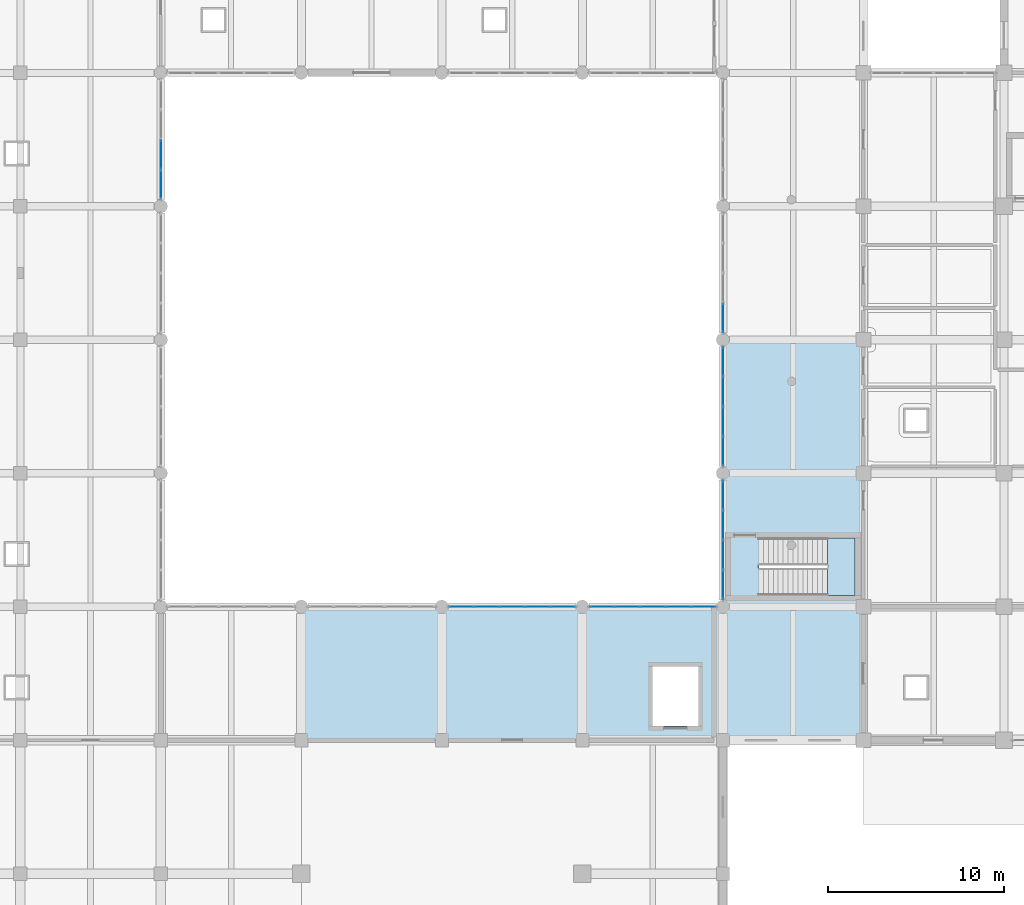
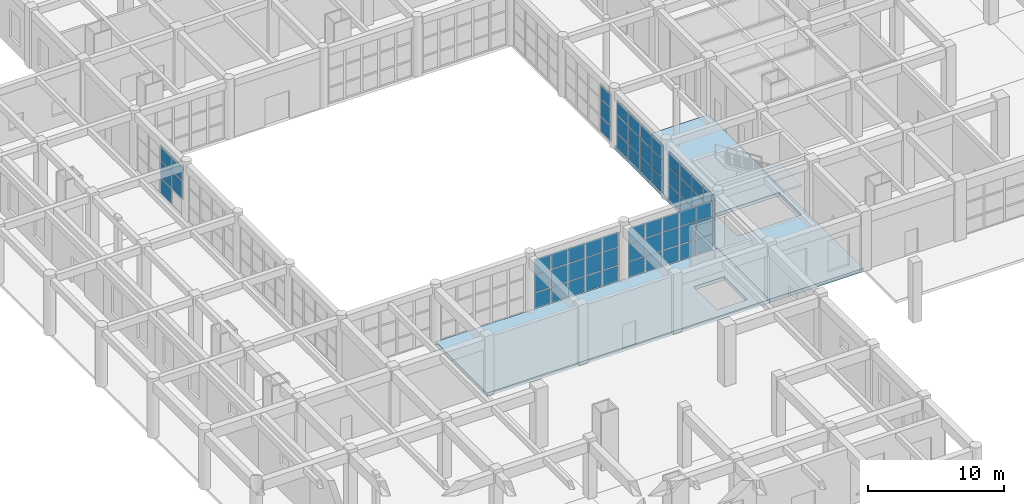
# One storey, part 59 of 95: 62 plates, 3 slabs, 7 elements without a shape of their own.
"""IFC4 building model written with IfcOpenShell, lengths in metres."""

from ifc_helpers import new_model, si_unit, direction, frame, origin, origin_2d, place, context, subcontext, project, spatial, polyline, rectangle, outline, extrude, material, layer, layer_set, type_object, element, aggregate, save


model = new_model("IFC4")

# Units and contexts
model_context = context("Model", 3, precision=1e-05, world=origin(), true_north=direction((0.0, 1.0)))
body_context = subcontext(model_context, "Body", "Model", "MODEL_VIEW")
ifc_project = project(units=[si_unit("LENGTHUNIT", "METRE"), si_unit("AREAUNIT", "SQUARE_METRE"), si_unit("VOLUMEUNIT", "CUBIC_METRE"), si_unit("PLANEANGLEUNIT", "RADIAN"), si_unit("MASSUNIT", "GRAM", prefix="KILO")], contexts=[model_context])

# Site, building, storey
site_placement = place(None, origin())
site = spatial("IfcSite", under=ifc_project, at=site_placement, CompositionType="ELEMENT")
building_placement = place(site_placement, origin())
building = spatial("IfcBuilding", under=site, at=building_placement, Name="Zantavel Square City Hall", CompositionType="ELEMENT")
storey_placement = place(building_placement, origin())
storey = spatial("IfcBuildingStorey", under=building, at=storey_placement, Name="L01", CompositionType="ELEMENT", Elevation=0.0)

# Slab
ifc_material_1 = material(Name="Concrete C40/50", Category="concrete")
ifc_layer_1 = layer(ifc_material_1, 0.320068359375, Name="Concrete C40/50")
ifc_layer_set_1 = layer_set([ifc_layer_1], Name="Concrete C40/50")
slab_type_1 = type_object("IfcSlabType", Name="Archive Vault Heavy Slab 320mm C40/50", PredefinedType="FLOOR", material=ifc_layer_set_1)
slab_1_placement = place(storey_placement, frame((0.0, 0.0, -0.320068359375)))
element("IfcSlab", 1, at=slab_1_placement, inside=storey, type_object=slab_type_1, Name="L01 Floor Slab SLB-L01-V3S-06", PredefinedType="FLOOR", context=body_context, shape_type="SweptSolid", body=[
    extrude(outline(polyline([(48.0, 30.39990234375), (24.0, 30.39990234375), (24.0, 38.0), (48.0, 38.0), (48.0, 30.39990234375)]), holes=[polyline([(46.60009765625, 34.60009765625), (44.0, 34.60009765625), (44.0, 31.199951171875), (46.60009765625, 31.199951171875), (46.60009765625, 34.60009765625)])]), origin(), (0.0, 0.0, 1.0), 0.320068359375),
])

# Stair, slab
ifc_material_2 = material(Name="Concrete C35/45", Category="concrete")
stair_type = type_object("IfcStairType", Name="Enclosed Core Dogleg Stair L01 H5400", PredefinedType="HALF_TURN_STAIR", material=ifc_material_2)
stair_placement = place(storey_placement, origin())
stair = element("IfcStair", 2, at=stair_placement, inside=storey, type_object=stair_type, Name="L01 Exit Stair 3 West Pavilion Core", PredefinedType="HALF_TURN_STAIR")
ifc_layer_2 = layer(ifc_material_2, 0.2099609375, Name="Concrete C35/45")
ifc_layer_set_2 = layer_set([ifc_layer_2], Name="Concrete C35/45")
slab_type_2 = type_object("IfcSlabType", Name="Core Stair Half-Landing Slab C35/45", PredefinedType="LANDING", material=ifc_layer_set_2)
slab_2_placement = place(storey_placement, frame((0.0, 0.0, 2.5)))
slab_2 = element("IfcSlab", 3, at=slab_2_placement, type_object=slab_type_2, Name="ST3 landing 1", PredefinedType="LANDING", context=body_context, shape_type="SweptSolid", body=[
    extrude(outline(polyline([(53.949951171875, 38.64990234375), (55.530029296875, 38.64990234375), (55.530029296875, 41.919921875), (53.949951171875, 41.919921875), (53.949951171875, 38.64990234375)])), origin(), (0.0, 0.0, 1.0), 0.199951171875),
])
aggregate(stair, [slab_2])

# Slab
ifc_layer_3 = layer(ifc_material_2, 0.300048828125, Name="Concrete C35/45")
ifc_layer_set_3 = layer_set([ifc_layer_3], Name="Concrete C35/45")
slab_type_3 = type_object("IfcSlabType", Name="Ground Civic Floor Slab 300mm C35/45", PredefinedType="FLOOR", material=ifc_layer_set_3)
slab_3_placement = place(storey_placement, frame((0.0, 0.0, -0.300048828125)))
element("IfcSlab", 4, at=slab_3_placement, inside=storey, type_object=slab_type_3, Name="L01 Floor Slab SLB-L01-V3E-01", PredefinedType="FLOOR", context=body_context, shape_type="SweptSolid", body=[
    extrude(outline(polyline([(48.0, 30.39990234375), (48.0, 38.0), (48.0, 53.199951171875), (56.0, 53.199951171875), (56.0, 45.60009765625), (56.0, 30.39990234375), (48.0, 30.39990234375)]), holes=[polyline([(55.530029296875, 41.919921875), (50.050048828125, 41.919921875), (50.050048828125, 38.64990234375), (55.530029296875, 38.64990234375), (55.530029296875, 41.919921875)])]), origin(), (0.0, 0.0, 1.0), 0.300048828125),
])

# Curtain wall, plates
ifc_material_3 = material(Name="Anodised aluminium 6063-T6", Category="aluminium")
curtain_wall_type_1 = type_object("IfcCurtainWallType", Name="Curtain Wall CRT 7250x4510", PredefinedType="USERDEFINED", material=ifc_material_3)
curtain_wall_1_placement = place(storey_placement, origin())
curtain_wall_1 = element("IfcCurtainWall", 5, at=curtain_wall_1_placement, inside=storey, type_object=curtain_wall_type_1, Name="L01 Glazed Curtain Wall CW-L01-012", ObjectType="GLAZED CURTAIN WALL", PredefinedType="USERDEFINED")
ifc_material_4 = material(Name="Tempered safety glass low-E double glazing", Category="glass")
ifc_layer_4 = layer(ifc_material_4, 0.028076171875, Name="Tempered safety glass low-E double glazing")
ifc_layer_set_4 = layer_set([ifc_layer_4], Name="Tempered safety glass low-E double glazing")
plate_type_1 = type_object("IfcPlateType", Name="Low-E Curtain Glazing Panel 1450x1503x28", PredefinedType="CURTAIN_PANEL", material=ifc_layer_set_4)
plate_1_placement = place(storey_placement, frame((33.114990234375, 38.0, 0.06005859375), z_axis=(0.0, 0.0, 1.0), x_axis=(1.0, 0.0, 0.0)))
plate_1 = element("IfcPlate", 6, at=plate_1_placement, type_object=plate_type_1, Name="CW-012 panel 1.1", PredefinedType="CURTAIN_PANEL", context=body_context, shape_type="SweptSolid", body=[
    extrude(rectangle(XDim=1.360107421875, YDim=0.028076171875, at=origin_2d()), origin(), (0.0, 0.0, 1.0), 1.35302734375),
])
plate_2_placement = place(storey_placement, frame((33.114990234375, 38.0, 1.472900390625), z_axis=(0.0, 0.0, 1.0), x_axis=(1.0, 0.0, 0.0)))
plate_2 = element("IfcPlate", 7, at=plate_2_placement, type_object=plate_type_1, Name="CW-012 panel 1.2", PredefinedType="CURTAIN_PANEL", context=body_context, shape_type="SweptSolid", body=[
    extrude(rectangle(XDim=1.360107421875, YDim=0.028076171875, at=origin_2d()), origin(), (0.0, 0.0, 1.0), 1.56396484375),
])
plate_3_placement = place(storey_placement, frame((33.114990234375, 38.0, 3.096923828125), z_axis=(0.0, 0.0, 1.0), x_axis=(1.0, 0.0, 0.0)))
plate_3 = element("IfcPlate", 8, at=plate_3_placement, type_object=plate_type_1, Name="CW-012 panel 1.3", PredefinedType="CURTAIN_PANEL", context=body_context, shape_type="SweptSolid", body=[
    extrude(rectangle(XDim=1.360107421875, YDim=0.028076171875, at=origin_2d()), origin(), (0.0, 0.0, 1.0), 1.35302734375),
])
plate_4_placement = place(storey_placement, frame((34.550048828125, 38.0, 0.06005859375), z_axis=(0.0, 0.0, 1.0), x_axis=(1.0, 0.0, 0.0)))
plate_4 = element("IfcPlate", 9, at=plate_4_placement, type_object=plate_type_1, Name="CW-012 panel 2.1", PredefinedType="CURTAIN_PANEL", context=body_context, shape_type="SweptSolid", body=[
    extrude(rectangle(XDim=1.389892578125, YDim=0.028076171875, at=origin_2d()), origin(), (0.0, 0.0, 1.0), 1.35302734375),
])
plate_5_placement = place(storey_placement, frame((34.550048828125, 38.0, 1.472900390625), z_axis=(0.0, 0.0, 1.0), x_axis=(1.0, 0.0, 0.0)))
plate_5 = element("IfcPlate", 10, at=plate_5_placement, type_object=plate_type_1, Name="CW-012 panel 2.2", PredefinedType="CURTAIN_PANEL", context=body_context, shape_type="SweptSolid", body=[
    extrude(rectangle(XDim=1.389892578125, YDim=0.028076171875, at=origin_2d()), origin(), (0.0, 0.0, 1.0), 1.56396484375),
])
plate_6_placement = place(storey_placement, frame((34.550048828125, 38.0, 3.096923828125), z_axis=(0.0, 0.0, 1.0), x_axis=(1.0, 0.0, 0.0)))
plate_6 = element("IfcPlate", 11, at=plate_6_placement, type_object=plate_type_1, Name="CW-012 panel 2.3", PredefinedType="CURTAIN_PANEL", context=body_context, shape_type="SweptSolid", body=[
    extrude(rectangle(XDim=1.389892578125, YDim=0.028076171875, at=origin_2d()), origin(), (0.0, 0.0, 1.0), 1.35302734375),
])
plate_7_placement = place(storey_placement, frame((36.0, 38.0, 0.06005859375), z_axis=(0.0, 0.0, 1.0), x_axis=(1.0, 0.0, 0.0)))
plate_7 = element("IfcPlate", 12, at=plate_7_placement, type_object=plate_type_1, Name="CW-012 panel 3.1", PredefinedType="CURTAIN_PANEL", context=body_context, shape_type="SweptSolid", body=[
    extrude(rectangle(XDim=1.389892578125, YDim=0.028076171875, at=origin_2d()), origin(), (0.0, 0.0, 1.0), 1.35302734375),
])
plate_8_placement = place(storey_placement, frame((36.0, 38.0, 1.472900390625), z_axis=(0.0, 0.0, 1.0), x_axis=(1.0, 0.0, 0.0)))
plate_8 = element("IfcPlate", 13, at=plate_8_placement, type_object=plate_type_1, Name="CW-012 panel 3.2", PredefinedType="CURTAIN_PANEL", context=body_context, shape_type="SweptSolid", body=[
    extrude(rectangle(XDim=1.389892578125, YDim=0.028076171875, at=origin_2d()), origin(), (0.0, 0.0, 1.0), 1.56396484375),
])
plate_9_placement = place(storey_placement, frame((36.0, 38.0, 3.096923828125), z_axis=(0.0, 0.0, 1.0), x_axis=(1.0, 0.0, 0.0)))
plate_9 = element("IfcPlate", 14, at=plate_9_placement, type_object=plate_type_1, Name="CW-012 panel 3.3", PredefinedType="CURTAIN_PANEL", context=body_context, shape_type="SweptSolid", body=[
    extrude(rectangle(XDim=1.389892578125, YDim=0.028076171875, at=origin_2d()), origin(), (0.0, 0.0, 1.0), 1.35302734375),
])
plate_10_placement = place(storey_placement, frame((37.449951171875, 38.0, 0.06005859375), z_axis=(0.0, 0.0, 1.0), x_axis=(1.0, 0.0, 0.0)))
plate_10 = element("IfcPlate", 15, at=plate_10_placement, type_object=plate_type_1, Name="CW-012 panel 4.1", PredefinedType="CURTAIN_PANEL", context=body_context, shape_type="SweptSolid", body=[
    extrude(rectangle(XDim=1.389892578125, YDim=0.028076171875, at=origin_2d()), origin(), (0.0, 0.0, 1.0), 1.35302734375),
])
plate_11_placement = place(storey_placement, frame((37.449951171875, 38.0, 1.472900390625), z_axis=(0.0, 0.0, 1.0), x_axis=(1.0, 0.0, 0.0)))
plate_11 = element("IfcPlate", 16, at=plate_11_placement, type_object=plate_type_1, Name="CW-012 panel 4.2", PredefinedType="CURTAIN_PANEL", context=body_context, shape_type="SweptSolid", body=[
    extrude(rectangle(XDim=1.389892578125, YDim=0.028076171875, at=origin_2d()), origin(), (0.0, 0.0, 1.0), 1.56396484375),
])
plate_12_placement = place(storey_placement, frame((37.449951171875, 38.0, 3.096923828125), z_axis=(0.0, 0.0, 1.0), x_axis=(1.0, 0.0, 0.0)))
plate_12 = element("IfcPlate", 17, at=plate_12_placement, type_object=plate_type_1, Name="CW-012 panel 4.3", PredefinedType="CURTAIN_PANEL", context=body_context, shape_type="SweptSolid", body=[
    extrude(rectangle(XDim=1.389892578125, YDim=0.028076171875, at=origin_2d()), origin(), (0.0, 0.0, 1.0), 1.35302734375),
])
plate_13_placement = place(storey_placement, frame((38.885009765625, 38.0, 0.06005859375), z_axis=(0.0, 0.0, 1.0), x_axis=(1.0, 0.0, 0.0)))
plate_13 = element("IfcPlate", 18, at=plate_13_placement, type_object=plate_type_1, Name="CW-012 panel 5.1", PredefinedType="CURTAIN_PANEL", context=body_context, shape_type="SweptSolid", body=[
    extrude(rectangle(XDim=1.360107421875, YDim=0.028076171875, at=origin_2d()), origin(), (0.0, 0.0, 1.0), 1.35302734375),
])
plate_14_placement = place(storey_placement, frame((38.885009765625, 38.0, 1.472900390625), z_axis=(0.0, 0.0, 1.0), x_axis=(1.0, 0.0, 0.0)))
plate_14 = element("IfcPlate", 19, at=plate_14_placement, type_object=plate_type_1, Name="CW-012 panel 5.2", PredefinedType="CURTAIN_PANEL", context=body_context, shape_type="SweptSolid", body=[
    extrude(rectangle(XDim=1.360107421875, YDim=0.028076171875, at=origin_2d()), origin(), (0.0, 0.0, 1.0), 1.56396484375),
])
plate_15_placement = place(storey_placement, frame((38.885009765625, 38.0, 3.096923828125), z_axis=(0.0, 0.0, 1.0), x_axis=(1.0, 0.0, 0.0)))
plate_15 = element("IfcPlate", 20, at=plate_15_placement, type_object=plate_type_1, Name="CW-012 panel 5.3", PredefinedType="CURTAIN_PANEL", context=body_context, shape_type="SweptSolid", body=[
    extrude(rectangle(XDim=1.360107421875, YDim=0.028076171875, at=origin_2d()), origin(), (0.0, 0.0, 1.0), 1.35302734375),
])
aggregate(curtain_wall_1, [plate_1, plate_2, plate_3, plate_4, plate_5, plate_6, plate_7, plate_8, plate_9, plate_10, plate_11, plate_12, plate_13, plate_14, plate_15])

curtain_wall_2_placement = place(storey_placement, origin())
curtain_wall_2 = element("IfcCurtainWall", 21, at=curtain_wall_2_placement, inside=storey, type_object=curtain_wall_type_1, Name="L01 Glazed Curtain Wall CW-L01-013", ObjectType="GLAZED CURTAIN WALL", PredefinedType="USERDEFINED")
plate_16_placement = place(storey_placement, frame((41.114990234375, 38.0, 0.06005859375), z_axis=(0.0, 0.0, 1.0), x_axis=(1.0, 0.0, 0.0)))
plate_16 = element("IfcPlate", 22, at=plate_16_placement, type_object=plate_type_1, Name="CW-013 panel 1.1", PredefinedType="CURTAIN_PANEL", context=body_context, shape_type="SweptSolid", body=[
    extrude(rectangle(XDim=1.360107421875, YDim=0.028076171875, at=origin_2d()), origin(), (0.0, 0.0, 1.0), 1.35302734375),
])
plate_17_placement = place(storey_placement, frame((41.114990234375, 38.0, 1.472900390625), z_axis=(0.0, 0.0, 1.0), x_axis=(1.0, 0.0, 0.0)))
plate_17 = element("IfcPlate", 23, at=plate_17_placement, type_object=plate_type_1, Name="CW-013 panel 1.2", PredefinedType="CURTAIN_PANEL", context=body_context, shape_type="SweptSolid", body=[
    extrude(rectangle(XDim=1.360107421875, YDim=0.028076171875, at=origin_2d()), origin(), (0.0, 0.0, 1.0), 1.56396484375),
])
plate_18_placement = place(storey_placement, frame((41.114990234375, 38.0, 3.096923828125), z_axis=(0.0, 0.0, 1.0), x_axis=(1.0, 0.0, 0.0)))
plate_18 = element("IfcPlate", 24, at=plate_18_placement, type_object=plate_type_1, Name="CW-013 panel 1.3", PredefinedType="CURTAIN_PANEL", context=body_context, shape_type="SweptSolid", body=[
    extrude(rectangle(XDim=1.360107421875, YDim=0.028076171875, at=origin_2d()), origin(), (0.0, 0.0, 1.0), 1.35302734375),
])
plate_19_placement = place(storey_placement, frame((42.550048828125, 38.0, 0.06005859375), z_axis=(0.0, 0.0, 1.0), x_axis=(1.0, 0.0, 0.0)))
plate_19 = element("IfcPlate", 25, at=plate_19_placement, type_object=plate_type_1, Name="CW-013 panel 2.1", PredefinedType="CURTAIN_PANEL", context=body_context, shape_type="SweptSolid", body=[
    extrude(rectangle(XDim=1.389892578125, YDim=0.028076171875, at=origin_2d()), origin(), (0.0, 0.0, 1.0), 1.35302734375),
])
plate_20_placement = place(storey_placement, frame((42.550048828125, 38.0, 1.472900390625), z_axis=(0.0, 0.0, 1.0), x_axis=(1.0, 0.0, 0.0)))
plate_20 = element("IfcPlate", 26, at=plate_20_placement, type_object=plate_type_1, Name="CW-013 panel 2.2", PredefinedType="CURTAIN_PANEL", context=body_context, shape_type="SweptSolid", body=[
    extrude(rectangle(XDim=1.389892578125, YDim=0.028076171875, at=origin_2d()), origin(), (0.0, 0.0, 1.0), 1.56396484375),
])
plate_21_placement = place(storey_placement, frame((42.550048828125, 38.0, 3.096923828125), z_axis=(0.0, 0.0, 1.0), x_axis=(1.0, 0.0, 0.0)))
plate_21 = element("IfcPlate", 27, at=plate_21_placement, type_object=plate_type_1, Name="CW-013 panel 2.3", PredefinedType="CURTAIN_PANEL", context=body_context, shape_type="SweptSolid", body=[
    extrude(rectangle(XDim=1.389892578125, YDim=0.028076171875, at=origin_2d()), origin(), (0.0, 0.0, 1.0), 1.35302734375),
])
plate_22_placement = place(storey_placement, frame((44.0, 38.0, 0.06005859375), z_axis=(0.0, 0.0, 1.0), x_axis=(1.0, 0.0, 0.0)))
plate_22 = element("IfcPlate", 28, at=plate_22_placement, type_object=plate_type_1, Name="CW-013 panel 3.1", PredefinedType="CURTAIN_PANEL", context=body_context, shape_type="SweptSolid", body=[
    extrude(rectangle(XDim=1.389892578125, YDim=0.028076171875, at=origin_2d()), origin(), (0.0, 0.0, 1.0), 1.35302734375),
])
plate_23_placement = place(storey_placement, frame((44.0, 38.0, 1.472900390625), z_axis=(0.0, 0.0, 1.0), x_axis=(1.0, 0.0, 0.0)))
plate_23 = element("IfcPlate", 29, at=plate_23_placement, type_object=plate_type_1, Name="CW-013 panel 3.2", PredefinedType="CURTAIN_PANEL", context=body_context, shape_type="SweptSolid", body=[
    extrude(rectangle(XDim=1.389892578125, YDim=0.028076171875, at=origin_2d()), origin(), (0.0, 0.0, 1.0), 1.56396484375),
])
plate_24_placement = place(storey_placement, frame((44.0, 38.0, 3.096923828125), z_axis=(0.0, 0.0, 1.0), x_axis=(1.0, 0.0, 0.0)))
plate_24 = element("IfcPlate", 30, at=plate_24_placement, type_object=plate_type_1, Name="CW-013 panel 3.3", PredefinedType="CURTAIN_PANEL", context=body_context, shape_type="SweptSolid", body=[
    extrude(rectangle(XDim=1.389892578125, YDim=0.028076171875, at=origin_2d()), origin(), (0.0, 0.0, 1.0), 1.35302734375),
])
plate_25_placement = place(storey_placement, frame((45.449951171875, 38.0, 0.06005859375), z_axis=(0.0, 0.0, 1.0), x_axis=(1.0, 0.0, 0.0)))
plate_25 = element("IfcPlate", 31, at=plate_25_placement, type_object=plate_type_1, Name="CW-013 panel 4.1", PredefinedType="CURTAIN_PANEL", context=body_context, shape_type="SweptSolid", body=[
    extrude(rectangle(XDim=1.389892578125, YDim=0.028076171875, at=origin_2d()), origin(), (0.0, 0.0, 1.0), 1.35302734375),
])
plate_26_placement = place(storey_placement, frame((45.449951171875, 38.0, 1.472900390625), z_axis=(0.0, 0.0, 1.0), x_axis=(1.0, 0.0, 0.0)))
plate_26 = element("IfcPlate", 32, at=plate_26_placement, type_object=plate_type_1, Name="CW-013 panel 4.2", PredefinedType="CURTAIN_PANEL", context=body_context, shape_type="SweptSolid", body=[
    extrude(rectangle(XDim=1.389892578125, YDim=0.028076171875, at=origin_2d()), origin(), (0.0, 0.0, 1.0), 1.56396484375),
])
plate_27_placement = place(storey_placement, frame((45.449951171875, 38.0, 3.096923828125), z_axis=(0.0, 0.0, 1.0), x_axis=(1.0, 0.0, 0.0)))
plate_27 = element("IfcPlate", 33, at=plate_27_placement, type_object=plate_type_1, Name="CW-013 panel 4.3", PredefinedType="CURTAIN_PANEL", context=body_context, shape_type="SweptSolid", body=[
    extrude(rectangle(XDim=1.389892578125, YDim=0.028076171875, at=origin_2d()), origin(), (0.0, 0.0, 1.0), 1.35302734375),
])
plate_28_placement = place(storey_placement, frame((46.885009765625, 38.0, 0.06005859375), z_axis=(0.0, 0.0, 1.0), x_axis=(1.0, 0.0, 0.0)))
plate_28 = element("IfcPlate", 34, at=plate_28_placement, type_object=plate_type_1, Name="CW-013 panel 5.1", PredefinedType="CURTAIN_PANEL", context=body_context, shape_type="SweptSolid", body=[
    extrude(rectangle(XDim=1.360107421875, YDim=0.028076171875, at=origin_2d()), origin(), (0.0, 0.0, 1.0), 1.35302734375),
])
plate_29_placement = place(storey_placement, frame((46.885009765625, 38.0, 1.472900390625), z_axis=(0.0, 0.0, 1.0), x_axis=(1.0, 0.0, 0.0)))
plate_29 = element("IfcPlate", 35, at=plate_29_placement, type_object=plate_type_1, Name="CW-013 panel 5.2", PredefinedType="CURTAIN_PANEL", context=body_context, shape_type="SweptSolid", body=[
    extrude(rectangle(XDim=1.360107421875, YDim=0.028076171875, at=origin_2d()), origin(), (0.0, 0.0, 1.0), 1.56396484375),
])
plate_30_placement = place(storey_placement, frame((46.885009765625, 38.0, 3.096923828125), z_axis=(0.0, 0.0, 1.0), x_axis=(1.0, 0.0, 0.0)))
plate_30 = element("IfcPlate", 36, at=plate_30_placement, type_object=plate_type_1, Name="CW-013 panel 5.3", PredefinedType="CURTAIN_PANEL", context=body_context, shape_type="SweptSolid", body=[
    extrude(rectangle(XDim=1.360107421875, YDim=0.028076171875, at=origin_2d()), origin(), (0.0, 0.0, 1.0), 1.35302734375),
])
aggregate(curtain_wall_2, [plate_16, plate_17, plate_18, plate_19, plate_20, plate_21, plate_22, plate_23, plate_24, plate_25, plate_26, plate_27, plate_28, plate_29, plate_30])

curtain_wall_type_2 = type_object("IfcCurtainWallType", Name="Curtain Wall CRT 6850x4460", PredefinedType="USERDEFINED", material=ifc_material_3)
curtain_wall_3_placement = place(storey_placement, origin())
curtain_wall_3 = element("IfcCurtainWall", 37, at=curtain_wall_3_placement, inside=storey, type_object=curtain_wall_type_2, Name="L01 Glazed Curtain Wall CW-L01-016", ObjectType="GLAZED CURTAIN WALL", PredefinedType="USERDEFINED")
ifc_layer_5 = layer(ifc_material_4, 0.028076171875, Name="Tempered safety glass low-E double glazing")
ifc_layer_set_5 = layer_set([ifc_layer_5], Name="Tempered safety glass low-E double glazing")
plate_type_2 = type_object("IfcPlateType", Name="Low-E Curtain Glazing Panel 1712x1487x28", PredefinedType="CURTAIN_PANEL", material=ifc_layer_set_5)
plate_31_placement = place(storey_placement, frame((48.0, 54.4462890625, 0.06005859375), z_axis=(0.0, 0.0, 1.0), x_axis=(0.0, 1.0, 0.0)))
plate_31 = element("IfcPlate", 38, at=plate_31_placement, type_object=plate_type_2, Name="CW-016 panel 1.1", PredefinedType="CURTAIN_PANEL", context=body_context, shape_type="SweptSolid", body=[
    extrude(rectangle(XDim=1.62255859375, YDim=0.028076171875, at=origin_2d()), origin(), (0.0, 0.0, 1.0), 1.3369140625),
])
plate_32_placement = place(storey_placement, frame((48.0, 54.4462890625, 1.45703125), z_axis=(0.0, 0.0, 1.0), x_axis=(0.0, 1.0, 0.0)))
plate_32 = element("IfcPlate", 39, at=plate_32_placement, type_object=plate_type_2, Name="CW-016 panel 1.2", PredefinedType="CURTAIN_PANEL", context=body_context, shape_type="SweptSolid", body=[
    extrude(rectangle(XDim=1.62255859375, YDim=0.028076171875, at=origin_2d()), origin(), (0.0, 0.0, 1.0), 1.5458984375),
])
plate_33_placement = place(storey_placement, frame((48.0, 54.4462890625, 3.06298828125), z_axis=(0.0, 0.0, 1.0), x_axis=(0.0, 1.0, 0.0)))
plate_33 = element("IfcPlate", 40, at=plate_33_placement, type_object=plate_type_2, Name="CW-016 panel 1.3", PredefinedType="CURTAIN_PANEL", context=body_context, shape_type="SweptSolid", body=[
    extrude(rectangle(XDim=1.62255859375, YDim=0.028076171875, at=origin_2d()), origin(), (0.0, 0.0, 1.0), 1.3369140625),
])
aggregate(curtain_wall_3, [plate_31, plate_32, plate_33])

curtain_wall_4_placement = place(storey_placement, origin())
curtain_wall_4 = element("IfcCurtainWall", 41, at=curtain_wall_4_placement, inside=storey, type_object=curtain_wall_type_2, Name="L01 Glazed Curtain Wall CW-L01-006", ObjectType="GLAZED CURTAIN WALL", PredefinedType="USERDEFINED")
ifc_layer_6 = layer(ifc_material_4, 0.028076171875, Name="Tempered safety glass low-E double glazing")
ifc_layer_set_6 = layer_set([ifc_layer_6], Name="Tempered safety glass low-E double glazing")
plate_type_3 = type_object("IfcPlateType", Name="Low-E Curtain Glazing Panel 1713x1487x28", PredefinedType="CURTAIN_PANEL", material=ifc_layer_set_6)
plate_34_placement = place(storey_placement, frame((16.0, 63.74365234375, 0.06005859375), z_axis=(0.0, 0.0, 1.0), x_axis=(0.0, -1.0, 0.0)))
plate_34 = element("IfcPlate", 42, at=plate_34_placement, type_object=plate_type_3, Name="CW-006 panel 3.1", PredefinedType="CURTAIN_PANEL", context=body_context, shape_type="SweptSolid", body=[
    extrude(rectangle(XDim=1.652587890625, YDim=0.028076171875, at=origin_2d()), origin(), (0.0, 0.0, 1.0), 1.3369140625),
])
plate_35_placement = place(storey_placement, frame((16.0, 63.74365234375, 1.45703125), z_axis=(0.0, 0.0, 1.0), x_axis=(0.0, -1.0, 0.0)))
plate_35 = element("IfcPlate", 43, at=plate_35_placement, type_object=plate_type_3, Name="CW-006 panel 3.2", PredefinedType="CURTAIN_PANEL", context=body_context, shape_type="SweptSolid", body=[
    extrude(rectangle(XDim=1.652587890625, YDim=0.028076171875, at=origin_2d()), origin(), (0.0, 0.0, 1.0), 1.5458984375),
])
plate_36_placement = place(storey_placement, frame((16.0, 63.74365234375, 3.06298828125), z_axis=(0.0, 0.0, 1.0), x_axis=(0.0, -1.0, 0.0)))
plate_36 = element("IfcPlate", 44, at=plate_36_placement, type_object=plate_type_3, Name="CW-006 panel 3.3", PredefinedType="CURTAIN_PANEL", context=body_context, shape_type="SweptSolid", body=[
    extrude(rectangle(XDim=1.652587890625, YDim=0.028076171875, at=origin_2d()), origin(), (0.0, 0.0, 1.0), 1.3369140625),
])
plate_37_placement = place(storey_placement, frame((16.0, 62.046142578125, 1.45703125), z_axis=(0.0, 0.0, 1.0), x_axis=(0.0, -1.0, 0.0)))
plate_37 = element("IfcPlate", 45, at=plate_37_placement, type_object=plate_type_3, Name="CW-006 panel 4.2", PredefinedType="CURTAIN_PANEL", context=body_context, shape_type="SweptSolid", body=[
    extrude(rectangle(XDim=1.62255859375, YDim=0.028076171875, at=origin_2d()), origin(), (0.0, 0.0, 1.0), 1.5458984375),
])
plate_38_placement = place(storey_placement, frame((16.0, 62.046142578125, 3.06298828125), z_axis=(0.0, 0.0, 1.0), x_axis=(0.0, -1.0, 0.0)))
plate_38 = element("IfcPlate", 46, at=plate_38_placement, type_object=plate_type_3, Name="CW-006 panel 4.3", PredefinedType="CURTAIN_PANEL", context=body_context, shape_type="SweptSolid", body=[
    extrude(rectangle(XDim=1.62255859375, YDim=0.028076171875, at=origin_2d()), origin(), (0.0, 0.0, 1.0), 1.3369140625),
])
aggregate(curtain_wall_4, [plate_34, plate_35, plate_36, plate_37, plate_38])

curtain_wall_5_placement = place(storey_placement, origin())
curtain_wall_5 = element("IfcCurtainWall", 47, at=curtain_wall_5_placement, inside=storey, type_object=curtain_wall_type_2, Name="L01 Glazed Curtain Wall CW-L01-014", ObjectType="GLAZED CURTAIN WALL", PredefinedType="USERDEFINED")
plate_39_placement = place(storey_placement, frame((48.0, 39.246337890625, 0.06005859375), z_axis=(0.0, 0.0, 1.0), x_axis=(0.0, 1.0, 0.0)))
plate_39 = element("IfcPlate", 48, at=plate_39_placement, type_object=plate_type_3, Name="CW-014 panel 1.1", PredefinedType="CURTAIN_PANEL", context=body_context, shape_type="SweptSolid", body=[
    extrude(rectangle(XDim=1.62255859375, YDim=0.028076171875, at=origin_2d()), origin(), (0.0, 0.0, 1.0), 1.3369140625),
])
plate_40_placement = place(storey_placement, frame((48.0, 39.246337890625, 1.45703125), z_axis=(0.0, 0.0, 1.0), x_axis=(0.0, 1.0, 0.0)))
plate_40 = element("IfcPlate", 49, at=plate_40_placement, type_object=plate_type_3, Name="CW-014 panel 1.2", PredefinedType="CURTAIN_PANEL", context=body_context, shape_type="SweptSolid", body=[
    extrude(rectangle(XDim=1.62255859375, YDim=0.028076171875, at=origin_2d()), origin(), (0.0, 0.0, 1.0), 1.5458984375),
])
plate_41_placement = place(storey_placement, frame((48.0, 39.246337890625, 3.06298828125), z_axis=(0.0, 0.0, 1.0), x_axis=(0.0, 1.0, 0.0)))
plate_41 = element("IfcPlate", 50, at=plate_41_placement, type_object=plate_type_3, Name="CW-014 panel 1.3", PredefinedType="CURTAIN_PANEL", context=body_context, shape_type="SweptSolid", body=[
    extrude(rectangle(XDim=1.62255859375, YDim=0.028076171875, at=origin_2d()), origin(), (0.0, 0.0, 1.0), 1.3369140625),
])
plate_42_placement = place(storey_placement, frame((48.0, 40.94384765625, 0.06005859375), z_axis=(0.0, 0.0, 1.0), x_axis=(0.0, 1.0, 0.0)))
plate_42 = element("IfcPlate", 51, at=plate_42_placement, type_object=plate_type_3, Name="CW-014 panel 2.1", PredefinedType="CURTAIN_PANEL", context=body_context, shape_type="SweptSolid", body=[
    extrude(rectangle(XDim=1.652587890625, YDim=0.028076171875, at=origin_2d()), origin(), (0.0, 0.0, 1.0), 1.3369140625),
])
plate_43_placement = place(storey_placement, frame((48.0, 40.94384765625, 1.45703125), z_axis=(0.0, 0.0, 1.0), x_axis=(0.0, 1.0, 0.0)))
plate_43 = element("IfcPlate", 52, at=plate_43_placement, type_object=plate_type_3, Name="CW-014 panel 2.2", PredefinedType="CURTAIN_PANEL", context=body_context, shape_type="SweptSolid", body=[
    extrude(rectangle(XDim=1.652587890625, YDim=0.028076171875, at=origin_2d()), origin(), (0.0, 0.0, 1.0), 1.5458984375),
])
plate_44_placement = place(storey_placement, frame((48.0, 40.94384765625, 3.06298828125), z_axis=(0.0, 0.0, 1.0), x_axis=(0.0, 1.0, 0.0)))
plate_44 = element("IfcPlate", 53, at=plate_44_placement, type_object=plate_type_3, Name="CW-014 panel 2.3", PredefinedType="CURTAIN_PANEL", context=body_context, shape_type="SweptSolid", body=[
    extrude(rectangle(XDim=1.652587890625, YDim=0.028076171875, at=origin_2d()), origin(), (0.0, 0.0, 1.0), 1.3369140625),
])
plate_45_placement = place(storey_placement, frame((48.0, 42.65625, 0.06005859375), z_axis=(0.0, 0.0, 1.0), x_axis=(0.0, 1.0, 0.0)))
plate_45 = element("IfcPlate", 54, at=plate_45_placement, type_object=plate_type_3, Name="CW-014 panel 3.1", PredefinedType="CURTAIN_PANEL", context=body_context, shape_type="SweptSolid", body=[
    extrude(rectangle(XDim=1.652587890625, YDim=0.028076171875, at=origin_2d()), origin(), (0.0, 0.0, 1.0), 1.3369140625),
])
plate_46_placement = place(storey_placement, frame((48.0, 42.65625, 1.45703125), z_axis=(0.0, 0.0, 1.0), x_axis=(0.0, 1.0, 0.0)))
plate_46 = element("IfcPlate", 55, at=plate_46_placement, type_object=plate_type_3, Name="CW-014 panel 3.2", PredefinedType="CURTAIN_PANEL", context=body_context, shape_type="SweptSolid", body=[
    extrude(rectangle(XDim=1.652587890625, YDim=0.028076171875, at=origin_2d()), origin(), (0.0, 0.0, 1.0), 1.5458984375),
])
plate_47_placement = place(storey_placement, frame((48.0, 42.65625, 3.06298828125), z_axis=(0.0, 0.0, 1.0), x_axis=(0.0, 1.0, 0.0)))
plate_47 = element("IfcPlate", 56, at=plate_47_placement, type_object=plate_type_3, Name="CW-014 panel 3.3", PredefinedType="CURTAIN_PANEL", context=body_context, shape_type="SweptSolid", body=[
    extrude(rectangle(XDim=1.652587890625, YDim=0.028076171875, at=origin_2d()), origin(), (0.0, 0.0, 1.0), 1.3369140625),
])
plate_48_placement = place(storey_placement, frame((48.0, 44.353759765625, 0.06005859375), z_axis=(0.0, 0.0, 1.0), x_axis=(0.0, 1.0, 0.0)))
plate_48 = element("IfcPlate", 57, at=plate_48_placement, type_object=plate_type_3, Name="CW-014 panel 4.1", PredefinedType="CURTAIN_PANEL", context=body_context, shape_type="SweptSolid", body=[
    extrude(rectangle(XDim=1.62255859375, YDim=0.028076171875, at=origin_2d()), origin(), (0.0, 0.0, 1.0), 1.3369140625),
])
plate_49_placement = place(storey_placement, frame((48.0, 44.353759765625, 1.45703125), z_axis=(0.0, 0.0, 1.0), x_axis=(0.0, 1.0, 0.0)))
plate_49 = element("IfcPlate", 58, at=plate_49_placement, type_object=plate_type_3, Name="CW-014 panel 4.2", PredefinedType="CURTAIN_PANEL", context=body_context, shape_type="SweptSolid", body=[
    extrude(rectangle(XDim=1.62255859375, YDim=0.028076171875, at=origin_2d()), origin(), (0.0, 0.0, 1.0), 1.5458984375),
])
plate_50_placement = place(storey_placement, frame((48.0, 44.353759765625, 3.06298828125), z_axis=(0.0, 0.0, 1.0), x_axis=(0.0, 1.0, 0.0)))
plate_50 = element("IfcPlate", 59, at=plate_50_placement, type_object=plate_type_3, Name="CW-014 panel 4.3", PredefinedType="CURTAIN_PANEL", context=body_context, shape_type="SweptSolid", body=[
    extrude(rectangle(XDim=1.62255859375, YDim=0.028076171875, at=origin_2d()), origin(), (0.0, 0.0, 1.0), 1.3369140625),
])
aggregate(curtain_wall_5, [plate_39, plate_40, plate_41, plate_42, plate_43, plate_44, plate_45, plate_46, plate_47, plate_48, plate_49, plate_50])

curtain_wall_6_placement = place(storey_placement, origin())
curtain_wall_6 = element("IfcCurtainWall", 60, at=curtain_wall_6_placement, inside=storey, type_object=curtain_wall_type_2, Name="L01 Glazed Curtain Wall CW-L01-015", ObjectType="GLAZED CURTAIN WALL", PredefinedType="USERDEFINED")
plate_51_placement = place(storey_placement, frame((48.0, 46.84619140625, 0.06005859375), z_axis=(0.0, 0.0, 1.0), x_axis=(0.0, 1.0, 0.0)))
plate_51 = element("IfcPlate", 61, at=plate_51_placement, type_object=plate_type_3, Name="CW-015 panel 1.1", PredefinedType="CURTAIN_PANEL", context=body_context, shape_type="SweptSolid", body=[
    extrude(rectangle(XDim=1.62255859375, YDim=0.028076171875, at=origin_2d()), origin(), (0.0, 0.0, 1.0), 1.3369140625),
])
plate_52_placement = place(storey_placement, frame((48.0, 46.84619140625, 1.45703125), z_axis=(0.0, 0.0, 1.0), x_axis=(0.0, 1.0, 0.0)))
plate_52 = element("IfcPlate", 62, at=plate_52_placement, type_object=plate_type_3, Name="CW-015 panel 1.2", PredefinedType="CURTAIN_PANEL", context=body_context, shape_type="SweptSolid", body=[
    extrude(rectangle(XDim=1.62255859375, YDim=0.028076171875, at=origin_2d()), origin(), (0.0, 0.0, 1.0), 1.5458984375),
])
plate_53_placement = place(storey_placement, frame((48.0, 46.84619140625, 3.06298828125), z_axis=(0.0, 0.0, 1.0), x_axis=(0.0, 1.0, 0.0)))
plate_53 = element("IfcPlate", 63, at=plate_53_placement, type_object=plate_type_3, Name="CW-015 panel 1.3", PredefinedType="CURTAIN_PANEL", context=body_context, shape_type="SweptSolid", body=[
    extrude(rectangle(XDim=1.62255859375, YDim=0.028076171875, at=origin_2d()), origin(), (0.0, 0.0, 1.0), 1.3369140625),
])
plate_54_placement = place(storey_placement, frame((48.0, 48.543701171875, 0.06005859375), z_axis=(0.0, 0.0, 1.0), x_axis=(0.0, 1.0, 0.0)))
plate_54 = element("IfcPlate", 64, at=plate_54_placement, type_object=plate_type_3, Name="CW-015 panel 2.1", PredefinedType="CURTAIN_PANEL", context=body_context, shape_type="SweptSolid", body=[
    extrude(rectangle(XDim=1.652587890625, YDim=0.028076171875, at=origin_2d()), origin(), (0.0, 0.0, 1.0), 1.3369140625),
])
plate_55_placement = place(storey_placement, frame((48.0, 48.543701171875, 1.45703125), z_axis=(0.0, 0.0, 1.0), x_axis=(0.0, 1.0, 0.0)))
plate_55 = element("IfcPlate", 65, at=plate_55_placement, type_object=plate_type_3, Name="CW-015 panel 2.2", PredefinedType="CURTAIN_PANEL", context=body_context, shape_type="SweptSolid", body=[
    extrude(rectangle(XDim=1.652587890625, YDim=0.028076171875, at=origin_2d()), origin(), (0.0, 0.0, 1.0), 1.5458984375),
])
plate_56_placement = place(storey_placement, frame((48.0, 48.543701171875, 3.06298828125), z_axis=(0.0, 0.0, 1.0), x_axis=(0.0, 1.0, 0.0)))
plate_56 = element("IfcPlate", 66, at=plate_56_placement, type_object=plate_type_3, Name="CW-015 panel 2.3", PredefinedType="CURTAIN_PANEL", context=body_context, shape_type="SweptSolid", body=[
    extrude(rectangle(XDim=1.652587890625, YDim=0.028076171875, at=origin_2d()), origin(), (0.0, 0.0, 1.0), 1.3369140625),
])
plate_57_placement = place(storey_placement, frame((48.0, 50.25634765625, 0.06005859375), z_axis=(0.0, 0.0, 1.0), x_axis=(0.0, 1.0, 0.0)))
plate_57 = element("IfcPlate", 67, at=plate_57_placement, type_object=plate_type_3, Name="CW-015 panel 3.1", PredefinedType="CURTAIN_PANEL", context=body_context, shape_type="SweptSolid", body=[
    extrude(rectangle(XDim=1.652587890625, YDim=0.028076171875, at=origin_2d()), origin(), (0.0, 0.0, 1.0), 1.3369140625),
])
plate_58_placement = place(storey_placement, frame((48.0, 50.25634765625, 1.45703125), z_axis=(0.0, 0.0, 1.0), x_axis=(0.0, 1.0, 0.0)))
plate_58 = element("IfcPlate", 68, at=plate_58_placement, type_object=plate_type_3, Name="CW-015 panel 3.2", PredefinedType="CURTAIN_PANEL", context=body_context, shape_type="SweptSolid", body=[
    extrude(rectangle(XDim=1.652587890625, YDim=0.028076171875, at=origin_2d()), origin(), (0.0, 0.0, 1.0), 1.5458984375),
])
plate_59_placement = place(storey_placement, frame((48.0, 50.25634765625, 3.06298828125), z_axis=(0.0, 0.0, 1.0), x_axis=(0.0, 1.0, 0.0)))
plate_59 = element("IfcPlate", 69, at=plate_59_placement, type_object=plate_type_3, Name="CW-015 panel 3.3", PredefinedType="CURTAIN_PANEL", context=body_context, shape_type="SweptSolid", body=[
    extrude(rectangle(XDim=1.652587890625, YDim=0.028076171875, at=origin_2d()), origin(), (0.0, 0.0, 1.0), 1.3369140625),
])
plate_60_placement = place(storey_placement, frame((48.0, 51.953857421875, 0.06005859375), z_axis=(0.0, 0.0, 1.0), x_axis=(0.0, 1.0, 0.0)))
plate_60 = element("IfcPlate", 70, at=plate_60_placement, type_object=plate_type_3, Name="CW-015 panel 4.1", PredefinedType="CURTAIN_PANEL", context=body_context, shape_type="SweptSolid", body=[
    extrude(rectangle(XDim=1.62255859375, YDim=0.028076171875, at=origin_2d()), origin(), (0.0, 0.0, 1.0), 1.3369140625),
])
plate_61_placement = place(storey_placement, frame((48.0, 51.953857421875, 1.45703125), z_axis=(0.0, 0.0, 1.0), x_axis=(0.0, 1.0, 0.0)))
plate_61 = element("IfcPlate", 71, at=plate_61_placement, type_object=plate_type_3, Name="CW-015 panel 4.2", PredefinedType="CURTAIN_PANEL", context=body_context, shape_type="SweptSolid", body=[
    extrude(rectangle(XDim=1.62255859375, YDim=0.028076171875, at=origin_2d()), origin(), (0.0, 0.0, 1.0), 1.5458984375),
])
plate_62_placement = place(storey_placement, frame((48.0, 51.953857421875, 3.06298828125), z_axis=(0.0, 0.0, 1.0), x_axis=(0.0, 1.0, 0.0)))
plate_62 = element("IfcPlate", 72, at=plate_62_placement, type_object=plate_type_3, Name="CW-015 panel 4.3", PredefinedType="CURTAIN_PANEL", context=body_context, shape_type="SweptSolid", body=[
    extrude(rectangle(XDim=1.62255859375, YDim=0.028076171875, at=origin_2d()), origin(), (0.0, 0.0, 1.0), 1.3369140625),
])
aggregate(curtain_wall_6, [plate_51, plate_52, plate_53, plate_54, plate_55, plate_56, plate_57, plate_58, plate_59, plate_60, plate_61, plate_62])

save(model, "model.ifc")
